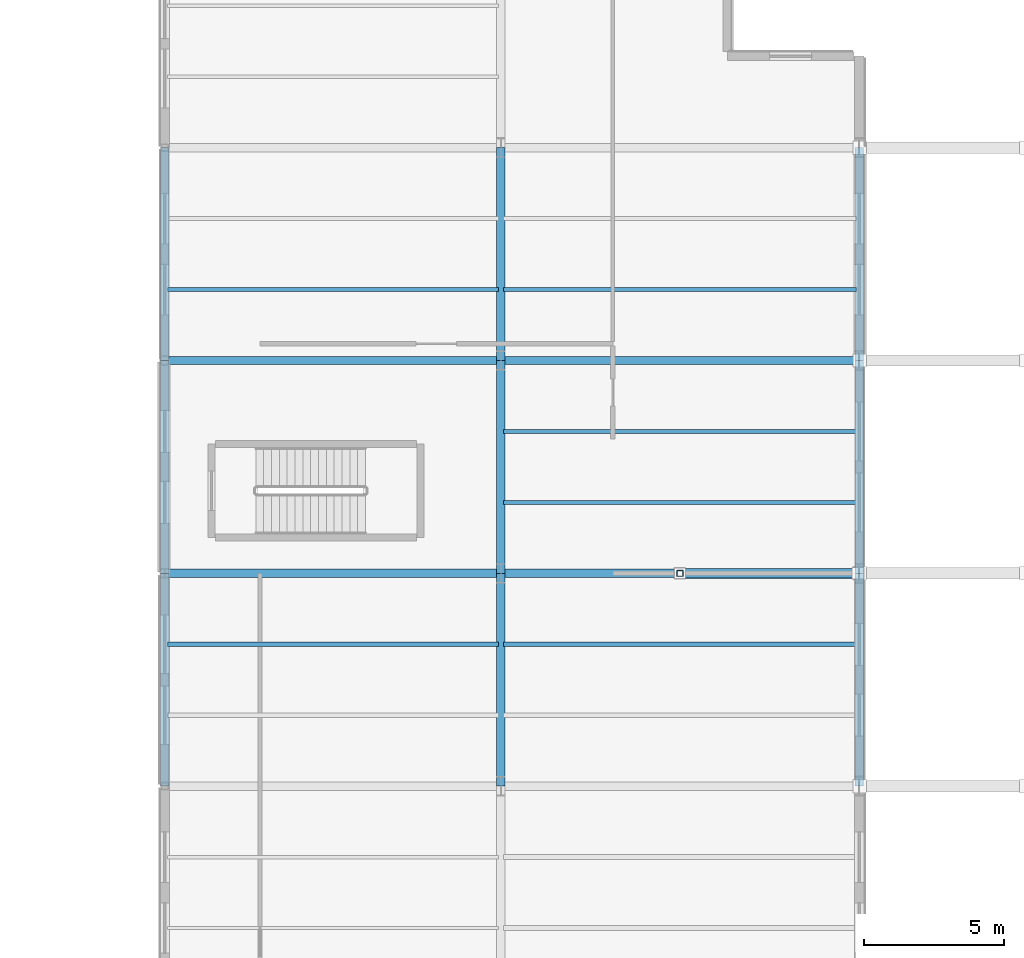
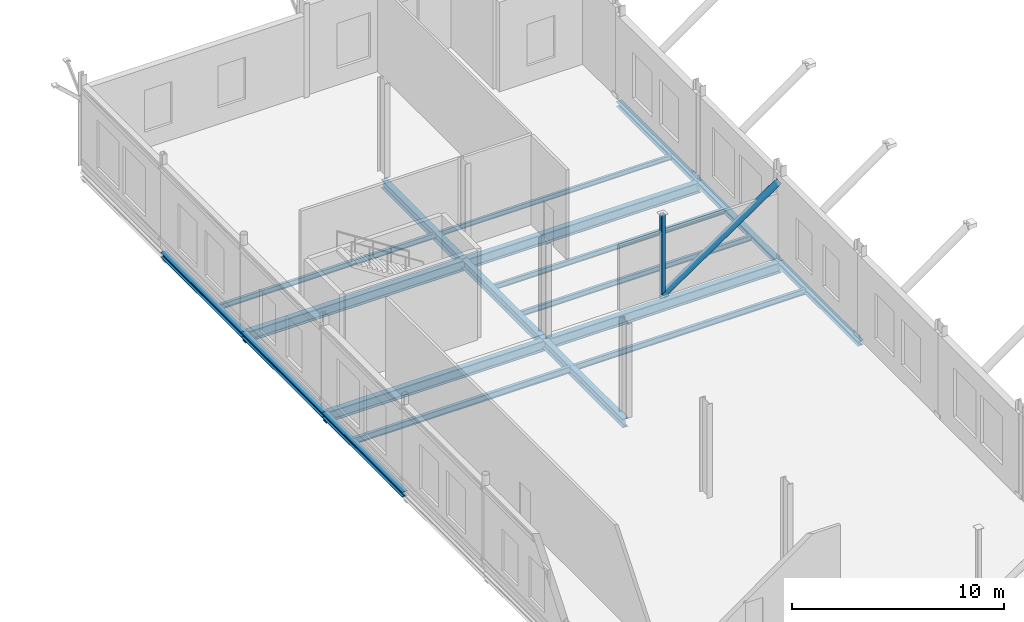
# One storey, part 95 of 147: 19 beams, 2 members.
"""IFC4 building model written with IfcOpenShell, lengths in metres."""

from ifc_helpers import new_model, si_unit, direction, frame, origin, origin_2d, place, context, subcontext, project, spatial, hollow_rectangle, hollow_circle, i_section, extrude, material, material_profile, profile_set, type_object, element, save


model = new_model("IFC4")

# Units and contexts
model_context = context("Model", 3, precision=1e-05, world=origin(), true_north=direction((0.0, 1.0)))
body_context = subcontext(model_context, "Body", "Model", "MODEL_VIEW")
ifc_project = project(units=[si_unit("LENGTHUNIT", "METRE"), si_unit("AREAUNIT", "SQUARE_METRE"), si_unit("VOLUMEUNIT", "CUBIC_METRE"), si_unit("PLANEANGLEUNIT", "RADIAN"), si_unit("MASSUNIT", "GRAM", prefix="KILO")], contexts=[model_context])

# Site, building, storey
site_placement = place(None, origin())
site = spatial("IfcSite", under=ifc_project, at=site_placement, CompositionType="ELEMENT")
building_placement = place(site_placement, origin())
building = spatial("IfcBuilding", under=site, at=building_placement, Name="Vekula Escarpment Museum", CompositionType="ELEMENT")
storey_placement = place(building_placement, frame((0.0, 0.0, 7.800048828125)))
storey = spatial("IfcBuildingStorey", under=building, at=storey_placement, Name="L02", CompositionType="ELEMENT", Elevation=7.800048828125)

# Beams
ifc_material_1 = material(Name="Steel S355", Category="steel")
ifc_material_profile_1 = material_profile(ifc_material_1, i_section(OverallWidth=0.300048828125, OverallDepth=0.5, WebThickness=0.014404296875, FlangeThickness=0.028076171875, FilletRadius=0.027099609375, at=origin_2d()), Name="HEB 500")
ifc_profile_set_1 = profile_set([ifc_material_profile_1], Name="Steel S355")
beam_type_1 = type_object("IfcBeamType", Name="BM-GIRD-HEB500", PredefinedType="BEAM", material=ifc_profile_set_1)
beam_1_placement = place(storey_placement, frame((179.0, 105.60009765625, -0.510009765625), z_axis=(0.0, 1.0, 0.0), x_axis=(-1.0, 0.0, 0.0)))
element("IfcBeam", 1, at=beam_1_placement, inside=storey, type_object=beam_type_1, Name="Beam Y L02 1254", PredefinedType="BEAM", context=body_context, shape_type="SweptSolid", body=[
    extrude(i_section(OverallWidth=0.300048828125, OverallDepth=0.5, WebThickness=0.014404296875, FlangeThickness=0.028076171875, FilletRadius=0.027099609375, at=origin_2d()), origin(), (0.0, 0.0, 1.0), 7.599853515625),
])
beam_2_placement = place(storey_placement, frame((179.0, 113.199951171875, -0.510009765625), z_axis=(0.0, 1.0, 0.0), x_axis=(-1.0, 0.0, 0.0)))
element("IfcBeam", 2, at=beam_2_placement, inside=storey, type_object=beam_type_1, Name="Beam Y L02 1255", PredefinedType="BEAM", context=body_context, shape_type="SweptSolid", body=[
    extrude(i_section(OverallWidth=0.300048828125, OverallDepth=0.5, WebThickness=0.014404296875, FlangeThickness=0.028076171875, FilletRadius=0.027099609375, at=origin_2d()), origin(), (0.0, 0.0, 1.0), 7.60009765625),
])
beam_3_placement = place(storey_placement, frame((179.0, 120.800048828125, -0.510009765625), z_axis=(0.0, 1.0, 0.0), x_axis=(-1.0, 0.0, 0.0)))
element("IfcBeam", 3, at=beam_3_placement, inside=storey, type_object=beam_type_1, Name="Beam Y L02 1256", PredefinedType="BEAM", context=body_context, shape_type="SweptSolid", body=[
    extrude(i_section(OverallWidth=0.300048828125, OverallDepth=0.5, WebThickness=0.014404296875, FlangeThickness=0.028076171875, FilletRadius=0.027099609375, at=origin_2d()), origin(), (0.0, 0.0, 1.0), 7.599853515625),
])
ifc_material_2 = material(Name="Steel S355", Category="steel")
ifc_material_profile_2 = material_profile(ifc_material_2, i_section(OverallWidth=0.300048828125, OverallDepth=0.60009765625, WebThickness=0.015380859375, FlangeThickness=0.030029296875, FilletRadius=0.027099609375, at=origin_2d()), Name="HEB 600")
ifc_profile_set_2 = profile_set([ifc_material_profile_2], Name="Steel S355")
beam_type_2 = type_object("IfcBeamType", Name="BM-GIRD-HEB600", PredefinedType="BEAM", material=ifc_profile_set_2)
beam_4_placement = place(storey_placement, frame((167.0, 113.199951171875, -0.56005859375), z_axis=(1.0, 0.0, 0.0), x_axis=(0.0, 1.0, 0.0)))
element("IfcBeam", 4, at=beam_4_placement, inside=storey, type_object=beam_type_2, Name="Beam X L02 0977", PredefinedType="BEAM", context=body_context, shape_type="SweptSolid", body=[
    extrude(i_section(OverallWidth=0.300048828125, OverallDepth=0.60009765625, WebThickness=0.015380859375, FlangeThickness=0.030029296875, FilletRadius=0.027099609375, at=origin_2d()), origin(), (0.0, 0.0, 1.0), 12.0),
])
beam_5_placement = place(storey_placement, frame((179.0, 113.199951171875, -0.56005859375), z_axis=(1.0, 0.0, 0.0), x_axis=(0.0, 1.0, 0.0)))
element("IfcBeam", 5, at=beam_5_placement, inside=storey, type_object=beam_type_2, Name="Beam X L02 0978", PredefinedType="BEAM", context=body_context, shape_type="SweptSolid", body=[
    extrude(i_section(OverallWidth=0.300048828125, OverallDepth=0.60009765625, WebThickness=0.015380859375, FlangeThickness=0.030029296875, FilletRadius=0.027099609375, at=origin_2d()), origin(), (0.0, 0.0, 1.0), 12.800048828125),
])
beam_6_placement = place(storey_placement, frame((167.0, 120.800048828125, -0.56005859375), z_axis=(1.0, 0.0, 0.0), x_axis=(0.0, 1.0, 0.0)))
element("IfcBeam", 6, at=beam_6_placement, inside=storey, type_object=beam_type_2, Name="Beam X L02 0993", PredefinedType="BEAM", context=body_context, shape_type="SweptSolid", body=[
    extrude(i_section(OverallWidth=0.300048828125, OverallDepth=0.60009765625, WebThickness=0.015380859375, FlangeThickness=0.030029296875, FilletRadius=0.027099609375, at=origin_2d()), origin(), (0.0, 0.0, 1.0), 12.0),
])
beam_7_placement = place(storey_placement, frame((179.0, 120.800048828125, -0.56005859375), z_axis=(1.0, 0.0, 0.0), x_axis=(0.0, 1.0, 0.0)))
element("IfcBeam", 7, at=beam_7_placement, inside=storey, type_object=beam_type_2, Name="Beam X L02 0994", PredefinedType="BEAM", context=body_context, shape_type="SweptSolid", body=[
    extrude(i_section(OverallWidth=0.300048828125, OverallDepth=0.60009765625, WebThickness=0.015380859375, FlangeThickness=0.030029296875, FilletRadius=0.027099609375, at=origin_2d()), origin(), (0.0, 0.0, 1.0), 12.800048828125),
])
ifc_material_3 = material(Name="Steel S355", Category="steel")
ifc_material_profile_3 = material_profile(ifc_material_3, i_section(OverallWidth=0.135009765625, OverallDepth=0.27001953125, WebThickness=0.006591796875, FlangeThickness=0.01025390625, FilletRadius=0.014892578125, at=origin_2d()), Name="IPE 270")
ifc_profile_set_3 = profile_set([ifc_material_profile_3], Name="Steel S355")
beam_type_3 = type_object("IfcBeamType", Name="BM-JST-IPE270", PredefinedType="JOIST", material=ifc_profile_set_3)
beam_8_placement = place(storey_placement, frame((179.090087890625, 123.333251953125, -0.39501953125), z_axis=(1.0, 0.0, 0.0), x_axis=(0.0, 1.0, 0.0)))
element("IfcBeam", 8, at=beam_8_placement, inside=storey, type_object=beam_type_3, Name="Secondary Joist L02 0884", PredefinedType="JOIST", context=body_context, shape_type="SweptSolid", body=[
    extrude(i_section(OverallWidth=0.135009765625, OverallDepth=0.27001953125, WebThickness=0.006591796875, FlangeThickness=0.01025390625, FilletRadius=0.014892578125, at=origin_2d()), origin(), (0.0, 0.0, 1.0), 12.619873046875),
])
ifc_material_4 = material(Name="Steel S355", Category="steel")
ifc_material_profile_4 = material_profile(ifc_material_4, i_section(OverallWidth=0.14990234375, OverallDepth=0.300048828125, WebThickness=0.007080078125, FlangeThickness=0.0107421875, FilletRadius=0.014892578125, at=origin_2d()), Name="IPE 300")
ifc_profile_set_4 = profile_set([ifc_material_profile_4], Name="Steel S355")
beam_type_4 = type_object("IfcBeamType", Name="BM-JST-IPE300", PredefinedType="JOIST", material=ifc_profile_set_4)
beam_9_placement = place(storey_placement, frame((167.090087890625, 123.333251953125, -0.41015625), z_axis=(1.0, 0.0, 0.0), x_axis=(0.0, 1.0, 0.0)))
element("IfcBeam", 9, at=beam_9_placement, inside=storey, type_object=beam_type_4, Name="Secondary Joist L02 0864", PredefinedType="JOIST", context=body_context, shape_type="SweptSolid", body=[
    extrude(i_section(OverallWidth=0.14990234375, OverallDepth=0.300048828125, WebThickness=0.007080078125, FlangeThickness=0.0107421875, FilletRadius=0.014892578125, at=origin_2d()), origin(), (0.0, 0.0, 1.0), 11.81982421875),
])
for number, where, z_axis, x_axis, name in (
    (10, (179.090087890625, 115.7333984375, -0.41015625), (1.0, 0.0, 0.0), (0.0, 1.0, 0.0), "Secondary Joist L02 0882"),
    (11, (179.090087890625, 118.2666015625, -0.41015625), (1.0, 0.0, 0.0), (0.0, 1.0, 0.0), "Secondary Joist L02 0883"),
):
    element("IfcBeam", number, at=place(storey_placement, frame(where, z_axis=z_axis, x_axis=x_axis)), inside=storey, type_object=beam_type_4, Name=name, PredefinedType="JOIST", context=body_context, shape_type="SweptSolid", body=[
        extrude(i_section(OverallWidth=0.14990234375, OverallDepth=0.300048828125, WebThickness=0.007080078125, FlangeThickness=0.0107421875, FilletRadius=0.014892578125, at=origin_2d()), origin(), (0.0, 0.0, 1.0), 12.619873046875),
    ])
ifc_material_5 = material(Name="Steel S355", Category="steel")
ifc_material_profile_5 = material_profile(ifc_material_5, i_section(OverallWidth=0.159912109375, OverallDepth=0.330078125, WebThickness=0.007568359375, FlangeThickness=0.011474609375, FilletRadius=0.01806640625, at=origin_2d()), Name="IPE 330")
ifc_profile_set_5 = profile_set([ifc_material_profile_5], Name="Steel S355")
beam_type_5 = type_object("IfcBeamType", Name="BM-JST-IPE330", PredefinedType="JOIST", material=ifc_profile_set_5)
beam_10_placement = place(storey_placement, frame((179.090087890625, 110.666748046875, -0.425048828125), z_axis=(1.0, 0.0, 0.0), x_axis=(0.0, 1.0, 0.0)))
element("IfcBeam", 12, at=beam_10_placement, inside=storey, type_object=beam_type_5, Name="Secondary Joist L02 0881", PredefinedType="JOIST", context=body_context, shape_type="SweptSolid", body=[
    extrude(i_section(OverallWidth=0.159912109375, OverallDepth=0.330078125, WebThickness=0.007568359375, FlangeThickness=0.011474609375, FilletRadius=0.01806640625, at=origin_2d()), origin(), (0.0, 0.0, 1.0), 12.619873046875),
])
ifc_material_6 = material(Name="Steel S355", Category="steel")
ifc_material_profile_6 = material_profile(ifc_material_6, i_section(OverallWidth=0.169921875, OverallDepth=0.360107421875, WebThickness=0.008056640625, FlangeThickness=0.0126953125, FilletRadius=0.01806640625, at=origin_2d()), Name="IPE 360")
ifc_profile_set_6 = profile_set([ifc_material_profile_6], Name="Steel S355")
beam_type_6 = type_object("IfcBeamType", Name="BM-JST-IPE360", PredefinedType="JOIST", material=ifc_profile_set_6)
beam_11_placement = place(storey_placement, frame((167.090087890625, 110.666748046875, -0.43994140625), z_axis=(1.0, 0.0, 0.0), x_axis=(0.0, 1.0, 0.0)))
element("IfcBeam", 13, at=beam_11_placement, inside=storey, type_object=beam_type_6, Name="Secondary Joist L02 0863", PredefinedType="JOIST", context=body_context, shape_type="SweptSolid", body=[
    extrude(i_section(OverallWidth=0.169921875, OverallDepth=0.360107421875, WebThickness=0.008056640625, FlangeThickness=0.0126953125, FilletRadius=0.01806640625, at=origin_2d()), origin(), (0.0, 0.0, 1.0), 11.81982421875),
])
ifc_material_7 = material(Name="Steel S355", Category="steel")
ifc_material_profile_7 = material_profile(ifc_material_7, i_section(OverallWidth=0.300048828125, OverallDepth=0.2900390625, WebThickness=0.008544921875, FlangeThickness=0.013916015625, FilletRadius=0.027099609375, at=origin_2d()), Name="HEA 300")
ifc_profile_set_7 = profile_set([ifc_material_profile_7], Name="Steel S355")
beam_type_7 = type_object("IfcBeamType", Name="BM-SPAN-HEA300", PredefinedType="SPANDREL", material=ifc_profile_set_7)
beam_12_placement = place(storey_placement, frame((167.0, 105.60009765625, -0.405029296875), z_axis=(0.0, 1.0, 0.0), x_axis=(-1.0, 0.0, 0.0)))
element("IfcBeam", 14, at=beam_12_placement, inside=storey, type_object=beam_type_7, Name="Beam Y L02 1235", PredefinedType="SPANDREL", context=body_context, shape_type="SweptSolid", body=[
    extrude(i_section(OverallWidth=0.300048828125, OverallDepth=0.2900390625, WebThickness=0.008544921875, FlangeThickness=0.013916015625, FilletRadius=0.027099609375, at=origin_2d()), origin(), (0.0, 0.0, 1.0), 7.599853515625),
])
beam_13_placement = place(storey_placement, frame((167.0, 113.199951171875, -0.405029296875), z_axis=(0.0, 1.0, 0.0), x_axis=(-1.0, 0.0, 0.0)))
element("IfcBeam", 15, at=beam_13_placement, inside=storey, type_object=beam_type_7, Name="Beam Y L02 1236", PredefinedType="SPANDREL", context=body_context, shape_type="SweptSolid", body=[
    extrude(i_section(OverallWidth=0.300048828125, OverallDepth=0.2900390625, WebThickness=0.008544921875, FlangeThickness=0.013916015625, FilletRadius=0.027099609375, at=origin_2d()), origin(), (0.0, 0.0, 1.0), 7.60009765625),
])
for number, where, z_axis, x_axis, name in (
    (16, (167.0, 120.800048828125, -0.405029296875), (0.0, 1.0, 0.0), (-1.0, 0.0, 0.0), "Beam Y L02 1237"),
    (17, (191.800048828125, 105.60009765625, -0.405029296875), (0.0, 1.0, 0.0), (-1.0, 0.0, 0.0), "Beam Y L02 1266"),
):
    element("IfcBeam", number, at=place(storey_placement, frame(where, z_axis=z_axis, x_axis=x_axis)), inside=storey, type_object=beam_type_7, Name=name, PredefinedType="SPANDREL", context=body_context, shape_type="SweptSolid", body=[
        extrude(i_section(OverallWidth=0.300048828125, OverallDepth=0.2900390625, WebThickness=0.008544921875, FlangeThickness=0.013916015625, FilletRadius=0.027099609375, at=origin_2d()), origin(), (0.0, 0.0, 1.0), 7.599853515625),
    ])
beam_14_placement = place(storey_placement, frame((191.800048828125, 113.199951171875, -0.405029296875), z_axis=(0.0, 1.0, 0.0), x_axis=(-1.0, 0.0, 0.0)))
element("IfcBeam", 18, at=beam_14_placement, inside=storey, type_object=beam_type_7, Name="Beam Y L02 1267", PredefinedType="SPANDREL", context=body_context, shape_type="SweptSolid", body=[
    extrude(i_section(OverallWidth=0.300048828125, OverallDepth=0.2900390625, WebThickness=0.008544921875, FlangeThickness=0.013916015625, FilletRadius=0.027099609375, at=origin_2d()), origin(), (0.0, 0.0, 1.0), 7.60009765625),
])
beam_15_placement = place(storey_placement, frame((191.800048828125, 120.800048828125, -0.405029296875), z_axis=(0.0, 1.0, 0.0), x_axis=(-1.0, 0.0, 0.0)))
element("IfcBeam", 19, at=beam_15_placement, inside=storey, type_object=beam_type_7, Name="Beam Y L02 1268", PredefinedType="SPANDREL", context=body_context, shape_type="SweptSolid", body=[
    extrude(i_section(OverallWidth=0.300048828125, OverallDepth=0.2900390625, WebThickness=0.008544921875, FlangeThickness=0.013916015625, FilletRadius=0.027099609375, at=origin_2d()), origin(), (0.0, 0.0, 1.0), 7.599853515625),
])

# Members
ifc_material_8 = material(Name="Steel S355", Category="steel")
ifc_material_profile_8 = material_profile(ifc_material_8, hollow_circle(Radius=0.177734375, WallThickness=0.01611328125, at=origin_2d()), Name="CHS 355.6x16")
ifc_profile_set_8 = profile_set([ifc_material_profile_8], Name="Steel S355")
member_type_1 = type_object("IfcMemberType", Name="MB-ELIB-STRUT", PredefinedType="STRUT", material=ifc_profile_set_8)
member_1_placement = place(storey_placement, frame((185.39990234375, 113.199951171875, 0.02001953125), z_axis=(0.826213901709, 0.0, 0.563356537747), x_axis=(0.0, 1.0, 0.0)))
element("IfcMember", 20, at=member_1_placement, inside=storey, type_object=member_type_1, Name="Cumba Back-Span Elibogrunde Strut 03", PredefinedType="STRUT", context=body_context, shape_type="SweptSolid", body=[
    extrude(hollow_circle(Radius=0.177734375, WallThickness=0.01611328125, at=origin_2d()), origin(), (0.0, 0.0, 1.0), 7.685791015625),
])
ifc_material_9 = material(Name="Steel S355", Category="steel")
ifc_material_profile_9 = material_profile(ifc_material_9, hollow_rectangle(XDim=0.219970703125, YDim=0.219970703125, WallThickness=0.011962890625, InnerFilletRadius=0.011962890625, OuterFilletRadius=0.02392578125, at=origin_2d()), Name="SHS 220x220x12")
ifc_profile_set_9 = profile_set([ifc_material_profile_9], Name="Steel S355")
member_type_2 = type_object("IfcMemberType", Name="MB-POST-SHS220", PredefinedType="STRUT", material=ifc_profile_set_9)
member_2_placement = place(storey_placement, frame((185.39990234375, 113.199951171875, 0.02001953125), z_axis=(0.0, 0.0, 1.0), x_axis=(1.0, 0.0, 0.0)))
element("IfcMember", 21, at=member_2_placement, inside=storey, type_object=member_type_2, Name="Cumba Back-Span Tie Post 03", PredefinedType="STRUT", context=body_context, shape_type="SweptSolid", body=[
    extrude(hollow_rectangle(XDim=0.219970703125, YDim=0.219970703125, WallThickness=0.011962890625, InnerFilletRadius=0.011962890625, OuterFilletRadius=0.02392578125, at=origin_2d()), origin(), (0.0, 0.0, 1.0), 4.679931640625),
])

save(model, "model.ifc")
